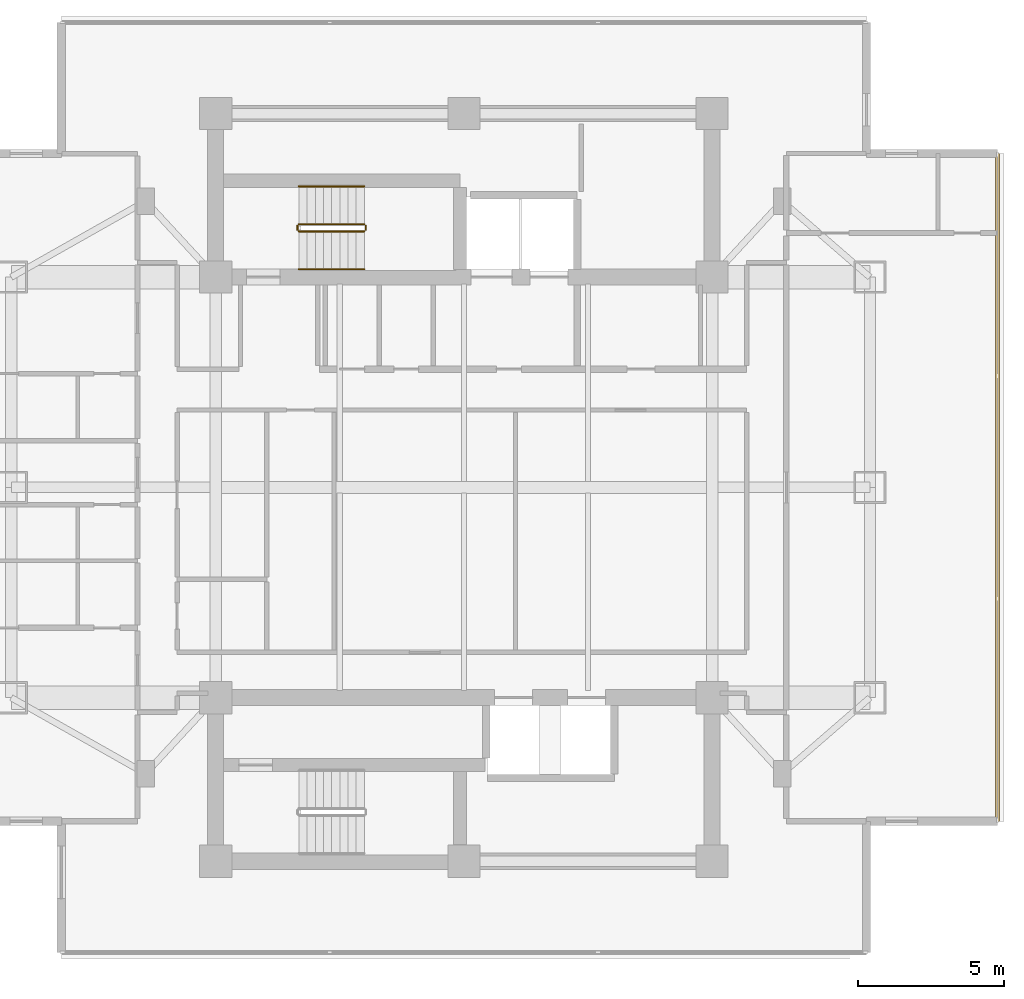
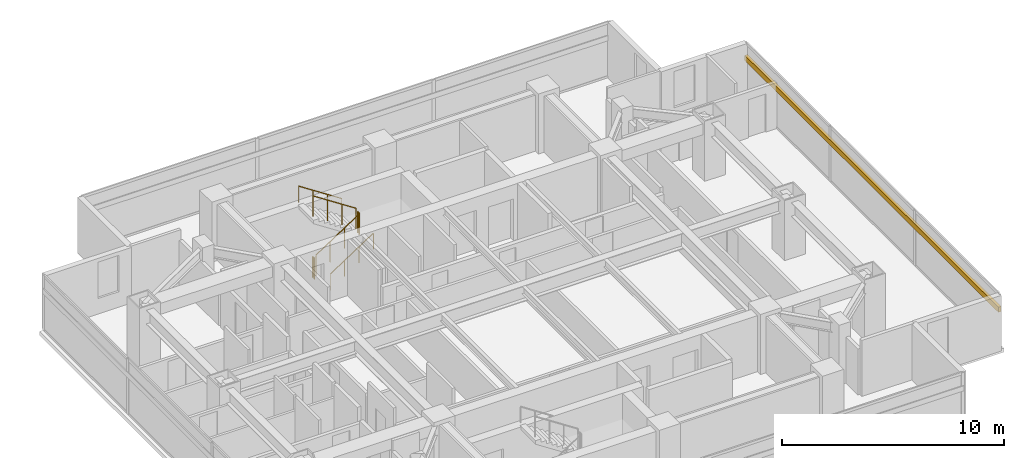
# One storey, part 23 of 24: 6 railings, 1 shading device.
"""IFC4 building model written with IfcOpenShell, lengths in metres."""

from ifc_helpers import new_model, si_unit, direction, frame, origin, origin_2d, place, context, subcontext, project, spatial, rectangle, circle, extrude, material, material_profile, profile_set, type_object, element, save


model = new_model("IFC4")

# Units and contexts
model_context = context("Model", 3, precision=1e-05, world=origin(), true_north=direction((0.0, 1.0)))
body_context = subcontext(model_context, "Body", "Model", "MODEL_VIEW")
ifc_project = project(units=[si_unit("LENGTHUNIT", "METRE"), si_unit("AREAUNIT", "SQUARE_METRE"), si_unit("VOLUMEUNIT", "CUBIC_METRE"), si_unit("PLANEANGLEUNIT", "RADIAN"), si_unit("MASSUNIT", "GRAM", prefix="KILO")], contexts=[model_context])

# Site, building, storey
site_placement = place(None, origin())
site = spatial("IfcSite", under=ifc_project, at=site_placement, CompositionType="ELEMENT")
building_placement = place(site_placement, origin())
building = spatial("IfcBuilding", under=site, at=building_placement, Name="Mirazonda Arch Towers", CompositionType="ELEMENT")
storey_placement = place(building_placement, frame((0.0, 0.0, 137.89990234375)))
storey = spatial("IfcBuildingStorey", under=building, at=storey_placement, Name="L39", CompositionType="ELEMENT", Elevation=137.89990234375)

# Shading device
ifc_material_1 = material(Name="Kiln-Fired Architectural Terracotta", Category="masonry")
ifc_material_profile = material_profile(ifc_material_1, rectangle(XDim=0.139892578125, YDim=0.280029296875, at=origin_2d()), Name="TERRA-BAG-140x280")
ifc_profile_set = profile_set([ifc_material_profile], Name="Kiln-Fired Architectural Terracotta")
shading_device_type = type_object("IfcShadingDeviceType", Name="BAGUETTE-3", PredefinedType="USERDEFINED", material=ifc_profile_set)
shading_device_placement = place(storey_placement, frame((94.77294921875, 16.567626953125, 2.203369140625), z_axis=(0.0, 1.0, 0.0), x_axis=(-1.0, 0.0, 0.0)))
element("IfcShadingDevice", 1, at=shading_device_placement, inside=storey, type_object=shading_device_type, Name="L39 Glazed Terracotta Sun-Screen Baguette CW-L39-T2-E", ObjectType="BAGUETTE", PredefinedType="USERDEFINED", context=body_context, shape_type="SweptSolid", body=[
    extrude(rectangle(XDim=0.139892578125, YDim=0.280029296875, at=origin_2d()), origin(), (0.0, 0.0, 1.0), 22.86474609375),
])

# Railings
ifc_material_2 = material(Name="Architectural Brushed Steel S355", Category="steel")
railing_type_1 = type_object("IfcRailingType", Name="GUARD-STAIR-1120", PredefinedType="GUARDRAIL", material=ifc_material_2)
railing_1_placement = place(storey_placement, frame((70.85009765625, 36.77001953125, 0.183349609375)))
element("IfcRailing", 2, at=railing_1_placement, inside=storey, type_object=railing_type_1, Name="L39 ST-T2N stair guard 1", PredefinedType="GUARDRAIL", context=body_context, shape_type="SweptSolid", body=[
    extrude(circle(Radius=0.02392578125, at=origin_2d()), frame((0.0, 0.0, 1.1259765625), z_axis=(0.836595146698, 0.0, 0.547821650285), x_axis=(0.0, 1.0, 0.0)), (0.0, 0.0, 1.0), 2.677490234375),
    extrude(circle(Radius=0.02099609375, at=origin_2d()), origin(), (0.0, 0.0, 1.0), 1.101806640625),
    extrude(circle(Radius=0.02099609375, at=origin_2d()), frame((0.74658203125, 0.0, 0.489013671875)), (0.0, 0.0, 1.0), 1.101806640625),
    extrude(circle(Radius=0.02099609375, at=origin_2d()), frame((1.493408203125, 0.0, 0.977783203125)), (0.0, 0.0, 1.0), 1.101806640625),
    extrude(circle(Radius=0.02099609375, at=origin_2d()), frame((2.239990234375, 0.0, 1.466796875)), (0.0, 0.0, 1.0), 1.101806640625),
])
railing_2_placement = place(storey_placement, frame((73.139892578125, 36.820068359375, 1.650146484375)))
element("IfcRailing", 3, at=railing_2_placement, inside=storey, type_object=railing_type_1, Name="L39 ST-T2N stair guard 2", PredefinedType="GUARDRAIL", context=body_context, shape_type="SweptSolid", body=[
    extrude(circle(Radius=0.02392578125, at=origin_2d()), frame((0.0, 0.0, 1.1259765625), z_axis=(0.0, 1.0, 0.0), x_axis=(-1.0, 0.0, 0.0)), (0.0, 0.0, 1.0), 0.139892578125),
    extrude(circle(Radius=0.02099609375, at=origin_2d()), origin(), (0.0, 0.0, 1.0), 1.101806640625),
    extrude(circle(Radius=0.02099609375, at=origin_2d()), frame((0.0, 0.139892578125, 0.0)), (0.0, 0.0, 1.0), 1.101806640625),
])
railing_3_placement = place(storey_placement, frame((73.090087890625, 37.010009765625, 1.83349609375)))
element("IfcRailing", 4, at=railing_3_placement, inside=storey, type_object=railing_type_1, Name="L39 ST-T2N stair guard 3", PredefinedType="GUARDRAIL", context=body_context, shape_type="SweptSolid", body=[
    extrude(circle(Radius=0.02392578125, at=origin_2d()), frame((0.0, 0.0, 1.1259765625), z_axis=(-0.836636935527, 0.0, 0.547757827979), x_axis=(0.0, -1.0, 0.0)), (0.0, 0.0, 1.0), 2.677490234375),
    extrude(circle(Radius=0.02099609375, at=origin_2d()), origin(), (0.0, 0.0, 1.0), 1.101806640625),
    extrude(circle(Radius=0.02099609375, at=origin_2d()), frame((-0.74658203125, 0.0, 0.48876953125)), (0.0, 0.0, 1.0), 1.101806640625),
    extrude(circle(Radius=0.02099609375, at=origin_2d()), frame((-1.493408203125, 0.0, 0.977783203125)), (0.0, 0.0, 1.0), 1.101806640625),
    extrude(circle(Radius=0.02099609375, at=origin_2d()), frame((-2.239990234375, 0.0, 1.466552734375)), (0.0, 0.0, 1.0), 1.101806640625),
])
railing_4_placement = place(storey_placement, frame((70.800048828125, 36.820068359375, 0.0)))
element("IfcRailing", 5, at=railing_4_placement, inside=storey, type_object=railing_type_1, Name="L39 ST-T2N stair guard 4", PredefinedType="GUARDRAIL", context=body_context, shape_type="SweptSolid", body=[
    extrude(circle(Radius=0.02392578125, at=origin_2d()), frame((0.0, 0.0, 1.1259765625), z_axis=(0.0, 1.0, 0.0), x_axis=(-1.0, 0.0, 0.0)), (0.0, 0.0, 1.0), 0.139892578125),
    extrude(circle(Radius=0.02099609375, at=origin_2d()), origin(), (0.0, 0.0, 1.0), 1.101806640625),
    extrude(circle(Radius=0.02099609375, at=origin_2d()), frame((0.0, 0.139892578125, 0.0)), (0.0, 0.0, 1.0), 1.101806640625),
])
railing_type_2 = type_object("IfcRailingType", Name="HANDRAIL-915", PredefinedType="HANDRAIL", material=ifc_material_2)
railing_5_placement = place(storey_placement, frame((70.85009765625, 35.469970703125, 0.183349609375)))
element("IfcRailing", 6, at=railing_5_placement, inside=storey, type_object=railing_type_2, Name="L39 ST-T2N stair handrail 1", PredefinedType="HANDRAIL", context=body_context, shape_type="SweptSolid", body=[
    extrude(circle(Radius=0.02392578125, at=origin_2d()), frame((0.0, 0.0, 0.8759765625), z_axis=(0.836595146698, 0.0, 0.547821650285), x_axis=(0.0, 1.0, 0.0)), (0.0, 0.0, 1.0), 2.677490234375),
    extrude(circle(Radius=0.02099609375, at=origin_2d()), origin(), (0.0, 0.0, 1.0), 0.851806640625),
    extrude(circle(Radius=0.02099609375, at=origin_2d()), frame((0.74658203125, 0.0, 0.489013671875)), (0.0, 0.0, 1.0), 0.851806640625),
    extrude(circle(Radius=0.02099609375, at=origin_2d()), frame((1.493408203125, 0.0, 0.977783203125)), (0.0, 0.0, 1.0), 0.851806640625),
    extrude(circle(Radius=0.02099609375, at=origin_2d()), frame((2.239990234375, 0.0, 1.466796875)), (0.0, 0.0, 1.0), 0.851806640625),
])
railing_6_placement = place(storey_placement, frame((73.090087890625, 38.31005859375, 1.83349609375)))
element("IfcRailing", 7, at=railing_6_placement, inside=storey, type_object=railing_type_2, Name="L39 ST-T2N stair handrail 2", PredefinedType="HANDRAIL", context=body_context, shape_type="SweptSolid", body=[
    extrude(circle(Radius=0.02392578125, at=origin_2d()), frame((0.0, 0.0, 0.8759765625), z_axis=(-0.836636935527, 0.0, 0.547757827979), x_axis=(0.0, -1.0, 0.0)), (0.0, 0.0, 1.0), 2.677490234375),
    extrude(circle(Radius=0.02099609375, at=origin_2d()), origin(), (0.0, 0.0, 1.0), 0.851806640625),
    extrude(circle(Radius=0.02099609375, at=origin_2d()), frame((-0.74658203125, 0.0, 0.48876953125)), (0.0, 0.0, 1.0), 0.851806640625),
    extrude(circle(Radius=0.02099609375, at=origin_2d()), frame((-1.493408203125, 0.0, 0.977783203125)), (0.0, 0.0, 1.0), 0.851806640625),
    extrude(circle(Radius=0.02099609375, at=origin_2d()), frame((-2.239990234375, 0.0, 1.466552734375)), (0.0, 0.0, 1.0), 0.851806640625),
])

save(model, "model.ifc")
